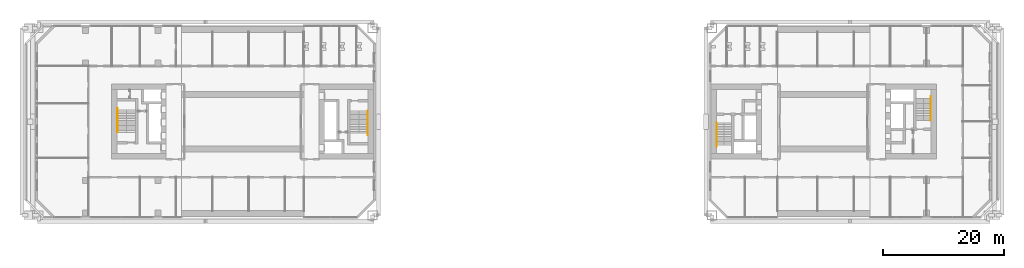
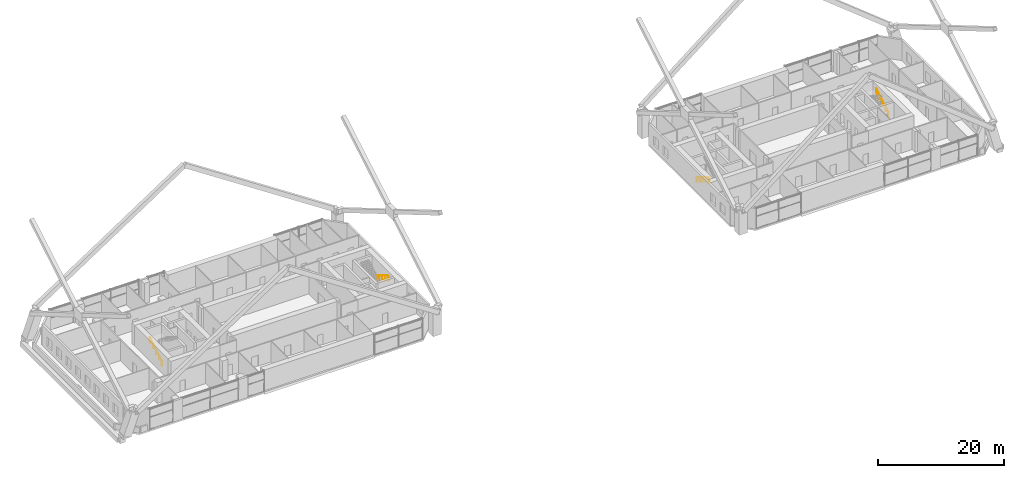
# One storey, part 24 of 25: 4 railings.
"""IFC4 building model written with IfcOpenShell, lengths in metres."""

import ifcopenshell
import ifcopenshell.guid

model = None  # the IFC model being written
_history = None  # IfcOwnerHistory: only IFC2X3 demands one
_inside = {}  # id of a spatial element -> (the spatial element, [elements in it])
_under = {}  # id of a project, library or spatial element -> (it, [spatial elements below it])
_declared = {}  # id of a project -> (the project, [libraries it declares])
_typed = {}  # id of a type object -> (the type object, [elements of that type])
_made_of = {}  # id of a material, layer set ... -> (it, [elements and type objects made of it])


def new_model(schema):
    """Start an empty IFC model of exactly this schema.

    Asked for "IFC4X3", IfcOpenShell would pick the latest addendum, in which some entities
    have other attributes; the version numbers below select the first issue.
    IFC2X3 requires an IfcOwnerHistory on every rooted entity: one is made here for all.
    """
    global model, _history
    if schema == "IFC4X3":
        model = ifcopenshell.file(schema_version=(4, 3, 0, 0))
    else:
        model = ifcopenshell.file(schema=schema)
    _inside.clear()
    _under.clear()
    _declared.clear()
    _typed.clear()
    _made_of.clear()
    _history = None
    if model.schema == "IFC2X3":
        org = make("IfcOrganization", Name="unknown")
        user = make(
            "IfcPersonAndOrganization",
            ThePerson=make("IfcPerson", FamilyName="unknown"),
            TheOrganization=org,
        )
        app = make(
            "IfcApplication",
            ApplicationDeveloper=org,
            Version="unknown",
            ApplicationFullName="unknown",
            ApplicationIdentifier="unknown",
        )
        _history = make(
            "IfcOwnerHistory",
            OwningUser=user,
            OwningApplication=app,
            ChangeAction="ADDED",
            CreationDate=0,
        )
    return model


def make(cls, **values):
    """One entity of the class cls with the attributes given. An attribute that is None is left unset."""
    return model.create_entity(
        cls, **{name: value for name, value in values.items() if value is not None}
    )


def rooted(cls, **values):
    """An entity with a GlobalId (a new one), such as an element, a storey or a relation."""
    return make(cls, GlobalId=ifcopenshell.guid.new(), OwnerHistory=_history, **values)


def si_unit(unit_type, name, prefix=None):
    """IfcSIUnit, for example si_unit("LENGTHUNIT", "METRE", prefix="MILLI")."""
    return make("IfcSIUnit", UnitType=unit_type, Prefix=prefix, Name=name)


def assignment(units):
    """IfcUnitAssignment: the units of a project."""
    return None if units is None else make("IfcUnitAssignment", Units=units)


def point(xyz):
    """IfcCartesianPoint."""
    return None if xyz is None else make("IfcCartesianPoint", Coordinates=xyz)


def direction(xyz):
    """IfcDirection."""
    return None if xyz is None else make("IfcDirection", DirectionRatios=xyz)


def frame(location, z_axis=None, x_axis=None):
    """IfcAxis2Placement3D, a coordinate frame: its origin and axes. An axis left out is left unset."""
    return make(
        "IfcAxis2Placement3D",
        Location=point(location),
        Axis=direction(z_axis),
        RefDirection=direction(x_axis),
    )


def frame_2d(location, x_axis=None):
    """IfcAxis2Placement2D, a coordinate frame in the plane: its origin and x axis."""
    return make(
        "IfcAxis2Placement2D", Location=point(location), RefDirection=direction(x_axis)
    )


def origin():
    """The frame at (0, 0, 0) with its axes left unset."""
    return frame((0.0, 0.0, 0.0))


def origin_2d():
    """The frame at (0, 0) in the plane with its x axis left unset."""
    return frame_2d((0.0, 0.0))


def place(relative_to, where):
    """IfcLocalPlacement: puts the frame where relative to a parent placement (None: the world)."""
    return make(
        "IfcLocalPlacement", PlacementRelTo=relative_to, RelativePlacement=where
    )


def context(
    kind, dimensions, precision=None, world=None, true_north=None, identifier=None
):
    """IfcGeometricRepresentationContext, for example the 3D "Model" context."""
    return make(
        "IfcGeometricRepresentationContext",
        ContextIdentifier=identifier,
        ContextType=kind,
        CoordinateSpaceDimension=dimensions,
        Precision=precision,
        WorldCoordinateSystem=world,
        TrueNorth=true_north,
    )


def subcontext(parent, identifier, kind, view, scale=None):
    """IfcGeometricRepresentationSubContext, for example "Body" below "Model"."""
    return make(
        "IfcGeometricRepresentationSubContext",
        ContextIdentifier=identifier,
        ContextType=kind,
        ParentContext=parent,
        TargetScale=scale,
        TargetView=view,
    )


def project(units=None, contexts=None):
    """IfcProject with its units and contexts."""
    return rooted(
        "IfcProject",
        Name="project",
        RepresentationContexts=contexts,
        UnitsInContext=assignment(units),
    )


def spatial(cls, under=None, at=None, **own):
    """A site, building, storey or space (cls), placed at a placement, below another one or the project."""
    s = rooted(cls, ObjectPlacement=at, **own)
    if under is not None:
        _under.setdefault(under.id(), (under, []))[1].append(s)
    return s


def profile(cls, at=None, kind="AREA", **sizes):
    """A parametric profile (cls). Its sizes go by their IFC names, for example OverallWidth=200.0."""
    return make(cls, ProfileType=kind, Position=at, **sizes)


def circle(**sizes):
    """IfcCircleProfileDef."""
    return profile("IfcCircleProfileDef", **sizes)


def extrude(swept, where, along, depth):
    """IfcExtrudedAreaSolid: the profile swept, set in the frame where, extruded along a direction by depth."""
    return make(
        "IfcExtrudedAreaSolid",
        SweptArea=swept,
        Position=where,
        ExtrudedDirection=direction(along),
        Depth=depth,
    )


def shape(context_of_items, identifier, shape_type, items):
    """IfcShapeRepresentation: the items that make up one representation, for example the "Body"."""
    return make(
        "IfcShapeRepresentation",
        ContextOfItems=context_of_items,
        RepresentationIdentifier=identifier,
        RepresentationType=shape_type,
        Items=items,
    )


def material(Name=None, Category=None):
    """IfcMaterial."""
    return make("IfcMaterial", Name=Name, Category=Category)


def made_of(thing, what):
    """Note that an element or type object is made of a material, layer set ...; save() writes the relation."""
    if what is not None:
        _made_of.setdefault(what.id(), (what, []))[1].append(thing)
    return thing


def type_object(cls, material=None, **own):
    """A type object (cls), such as IfcWallType, which elements share."""
    return made_of(rooted(cls, **own), material)


def element(
    cls,
    number,
    at=None,
    inside=None,
    cuts=None,
    type_object=None,
    material=None,
    context=None,
    identifier="Body",
    shape_type=None,
    held_by="IfcProductDefinitionShape",
    body=None,
    shapes=None,
    **own,
):
    """One element of the class cls, such as IfcWall. Its Tag is "e" and its number.

    at: its placement. inside: the storey or other place that contains it. cuts: it is an
    opening in that element (IfcRelVoidsElement). A single representation is given by context,
    identifier, shape_type and body (its items); several are given by shapes. held_by: the class
    of the entity that holds the representations. save() writes the other relations.
    """
    e = rooted(cls, Tag="e%d" % number, ObjectPlacement=at, **own)
    if body is not None:
        shapes = [shape(context, identifier, shape_type, body)]
    if shapes is not None:
        e.Representation = make(held_by, Representations=shapes)
    if inside is not None:
        _inside.setdefault(inside.id(), (inside, []))[1].append(e)
    if cuts is not None:
        rooted(
            "IfcRelVoidsElement", RelatingBuildingElement=cuts, RelatedOpeningElement=e
        )
    if type_object is not None:
        _typed.setdefault(type_object.id(), (type_object, []))[1].append(e)
    return made_of(e, material)


def aggregate(whole, parts):
    """IfcRelAggregates: a whole, such as a stair, and the parts it consists of."""
    return rooted("IfcRelAggregates", RelatingObject=whole, RelatedObjects=parts)


def save(model, path):
    """Write the relations noted so far, then the file.

    IfcRelAggregates (storeys below a building ...), IfcRelContainedInSpatialStructure (elements
    in a storey), IfcRelDefinesByType, IfcRelAssociatesMaterial and IfcRelDeclares: one each for
    every whole, place, type object, material and project.
    """
    for whole, parts in _under.values():
        aggregate(whole, parts)
    for where, things in _inside.values():
        rooted(
            "IfcRelContainedInSpatialStructure",
            RelatedElements=things,
            RelatingStructure=where,
        )
    for kind, things in _typed.values():
        rooted("IfcRelDefinesByType", RelatedObjects=things, RelatingType=kind)
    for what, things in _made_of.values():
        rooted("IfcRelAssociatesMaterial", RelatedObjects=things, RelatingMaterial=what)
    for by, libraries in _declared.values():
        rooted("IfcRelDeclares", RelatingContext=by, RelatedDefinitions=libraries)
    model.write(path)


model = new_model("IFC4")

# Units and contexts
model_context = context("Model", 3, precision=1e-05, world=origin(), true_north=direction((0.0, 1.0)))
body_context = subcontext(model_context, "Body", "Model", "MODEL_VIEW")
ifc_project = project(units=[si_unit("LENGTHUNIT", "METRE"), si_unit("AREAUNIT", "SQUARE_METRE"), si_unit("VOLUMEUNIT", "CUBIC_METRE"), si_unit("PLANEANGLEUNIT", "RADIAN"), si_unit("MASSUNIT", "GRAM", prefix="KILO")], contexts=[model_context])

# Site, building, storey
site_placement = place(None, origin())
site = spatial("IfcSite", under=ifc_project, at=site_placement, CompositionType="ELEMENT")
building_placement = place(site_placement, origin())
building = spatial("IfcBuilding", under=site, at=building_placement, Name="Tuart Gate Housing", CompositionType="ELEMENT")
storey_placement = place(building_placement, frame((0.0, 0.0, 14.699951171875)))
storey = spatial("IfcBuildingStorey", under=building, at=storey_placement, Name="L03", CompositionType="ELEMENT", Elevation=14.699951171875)

# Railings
ifc_material = material(Name="Stainless steel", Category="steel")
railing_type = type_object("IfcRailingType", Name="Stair handrail 900", PredefinedType="HANDRAIL", material=ifc_material)
railing_1_placement = place(storey_placement, frame((74.679931640625, 71.75, 0.17138671875)))
element("IfcRailing", 1, at=railing_1_placement, inside=storey, type_object=railing_type, Name="Stair handrail SA1.1", PredefinedType="HANDRAIL", context=body_context, shape_type="SweptSolid", body=[
    extrude(circle(Radius=0.02392578125, at=origin_2d()), frame((0.0, 0.0, 0.8759765625), z_axis=(0.0, -0.852824790078, 0.522197163366), x_axis=(1.0, 0.0, 0.0)), (0.0, 0.0, 1.0), 4.26806640625),
    extrude(circle(Radius=0.02392578125, at=origin_2d()), frame((0.0, -3.639892578125, 3.1044921875), z_axis=(0.0, -1.0, 0.0), x_axis=(1.0, 0.0, 0.0)), (0.0, 0.0, 1.0), 0.300048828125),
    extrude(circle(Radius=0.02099609375, at=origin_2d()), origin(), (0.0, 0.0, 1.0), 0.851806640625),
    extrude(circle(Radius=0.02099609375, at=origin_2d()), frame((0.0, -0.909912109375, 0.55712890625)), (0.0, 0.0, 1.0), 0.851806640625),
    extrude(circle(Radius=0.02099609375, at=origin_2d()), frame((0.0, -1.81982421875, 1.1142578125)), (0.0, 0.0, 1.0), 0.851806640625),
    extrude(circle(Radius=0.02099609375, at=origin_2d()), frame((0.0, -2.72998046875, 1.671630859375)), (0.0, 0.0, 1.0), 0.851806640625),
    extrude(circle(Radius=0.02099609375, at=origin_2d()), frame((0.0, -3.639892578125, 2.228759765625)), (0.0, 0.0, 1.0), 0.851806640625),
    extrude(circle(Radius=0.02099609375, at=origin_2d()), frame((0.0, -3.93994140625, 2.228759765625)), (0.0, 0.0, 1.0), 0.851806640625),
])
railing_2_placement = place(storey_placement, frame((33.320068359375, 68.25, 0.17138671875)))
element("IfcRailing", 2, at=railing_2_placement, inside=storey, type_object=railing_type, Name="Stair handrail SA2.1", PredefinedType="HANDRAIL", context=body_context, shape_type="SweptSolid", body=[
    extrude(circle(Radius=0.02392578125, at=origin_2d()), frame((0.0, 0.0, 0.8759765625), z_axis=(0.0, 0.852824790078, 0.522197163366), x_axis=(-1.0, 0.0, 0.0)), (0.0, 0.0, 1.0), 4.26806640625),
    extrude(circle(Radius=0.02392578125, at=origin_2d()), frame((0.0, 3.639892578125, 3.1044921875), z_axis=(0.0, 1.0, 0.0), x_axis=(-1.0, 0.0, 0.0)), (0.0, 0.0, 1.0), 0.300048828125),
    extrude(circle(Radius=0.02099609375, at=origin_2d()), origin(), (0.0, 0.0, 1.0), 0.851806640625),
    extrude(circle(Radius=0.02099609375, at=origin_2d()), frame((0.0, 0.909912109375, 0.55712890625)), (0.0, 0.0, 1.0), 0.851806640625),
    extrude(circle(Radius=0.02099609375, at=origin_2d()), frame((0.0, 1.81982421875, 1.1142578125)), (0.0, 0.0, 1.0), 0.851806640625),
    extrude(circle(Radius=0.02099609375, at=origin_2d()), frame((0.0, 2.72998046875, 1.671630859375)), (0.0, 0.0, 1.0), 0.851806640625),
    extrude(circle(Radius=0.02099609375, at=origin_2d()), frame((0.0, 3.639892578125, 2.228759765625)), (0.0, 0.0, 1.0), 0.851806640625),
    extrude(circle(Radius=0.02099609375, at=origin_2d()), frame((0.0, 3.93994140625, 2.228759765625)), (0.0, 0.0, 1.0), 0.851806640625),
])
railing_3_placement = place(storey_placement, frame((132.320068359375, 69.800048828125, 0.17138671875)))
element("IfcRailing", 3, at=railing_3_placement, inside=storey, type_object=railing_type, Name="Stair handrail SB1.1", PredefinedType="HANDRAIL", context=body_context, shape_type="SweptSolid", body=[
    extrude(circle(Radius=0.02392578125, at=origin_2d()), frame((0.0, 0.0, 0.8759765625), z_axis=(0.0, -0.852840387347, 0.522171689878), x_axis=(1.0, 0.0, 0.0)), (0.0, 0.0, 1.0), 4.268310546875),
    extrude(circle(Radius=0.02392578125, at=origin_2d()), frame((0.0, -3.64013671875, 3.1044921875), z_axis=(0.0, -1.0, 0.0), x_axis=(1.0, 0.0, 0.0)), (0.0, 0.0, 1.0), 0.2998046875),
    extrude(circle(Radius=0.02099609375, at=origin_2d()), origin(), (0.0, 0.0, 1.0), 0.851806640625),
    extrude(circle(Radius=0.02099609375, at=origin_2d()), frame((0.0, -0.91015625, 0.55712890625)), (0.0, 0.0, 1.0), 0.851806640625),
    extrude(circle(Radius=0.02099609375, at=origin_2d()), frame((0.0, -1.820068359375, 1.1142578125)), (0.0, 0.0, 1.0), 0.851806640625),
    extrude(circle(Radius=0.02099609375, at=origin_2d()), frame((0.0, -2.72998046875, 1.671630859375)), (0.0, 0.0, 1.0), 0.851806640625),
    extrude(circle(Radius=0.02099609375, at=origin_2d()), frame((0.0, -3.64013671875, 2.228759765625)), (0.0, 0.0, 1.0), 0.851806640625),
    extrude(circle(Radius=0.02099609375, at=origin_2d()), frame((0.0, -3.93994140625, 2.228759765625)), (0.0, 0.0, 1.0), 0.851806640625),
])
railing_4_placement = place(storey_placement, frame((167.679931640625, 70.199951171875, 0.17138671875)))
element("IfcRailing", 4, at=railing_4_placement, inside=storey, type_object=railing_type, Name="Stair handrail SB2.1", PredefinedType="HANDRAIL", context=body_context, shape_type="SweptSolid", body=[
    extrude(circle(Radius=0.02392578125, at=origin_2d()), frame((0.0, 0.0, 0.8759765625), z_axis=(0.0, 0.852840387347, 0.522171689878), x_axis=(-1.0, 0.0, 0.0)), (0.0, 0.0, 1.0), 4.268310546875),
    extrude(circle(Radius=0.02392578125, at=origin_2d()), frame((0.0, 3.64013671875, 3.1044921875), z_axis=(0.0, 1.0, 0.0), x_axis=(-1.0, 0.0, 0.0)), (0.0, 0.0, 1.0), 0.2998046875),
    extrude(circle(Radius=0.02099609375, at=origin_2d()), origin(), (0.0, 0.0, 1.0), 0.851806640625),
    extrude(circle(Radius=0.02099609375, at=origin_2d()), frame((0.0, 0.91015625, 0.55712890625)), (0.0, 0.0, 1.0), 0.851806640625),
    extrude(circle(Radius=0.02099609375, at=origin_2d()), frame((0.0, 1.820068359375, 1.1142578125)), (0.0, 0.0, 1.0), 0.851806640625),
    extrude(circle(Radius=0.02099609375, at=origin_2d()), frame((0.0, 2.72998046875, 1.671630859375)), (0.0, 0.0, 1.0), 0.851806640625),
    extrude(circle(Radius=0.02099609375, at=origin_2d()), frame((0.0, 3.64013671875, 2.228759765625)), (0.0, 0.0, 1.0), 0.851806640625),
    extrude(circle(Radius=0.02099609375, at=origin_2d()), frame((0.0, 3.93994140625, 2.228759765625)), (0.0, 0.0, 1.0), 0.851806640625),
])

save(model, "model.ifc")
